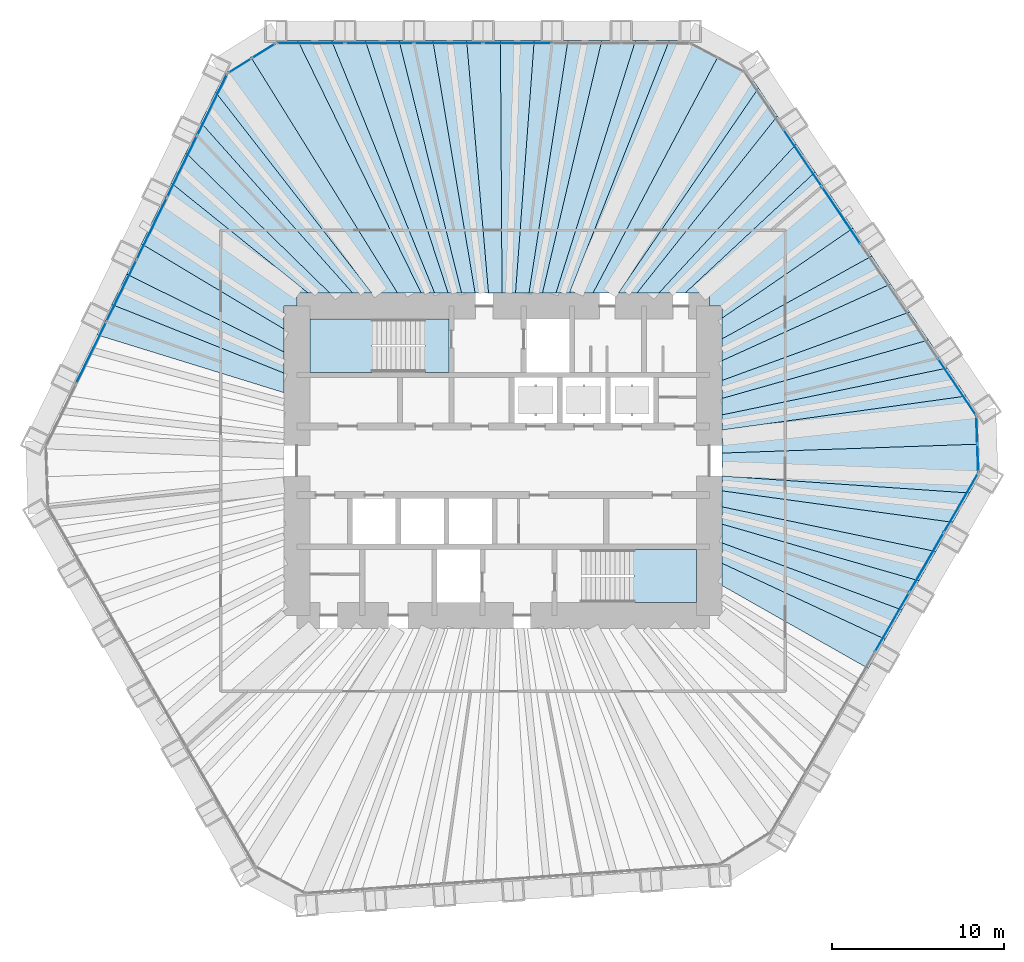
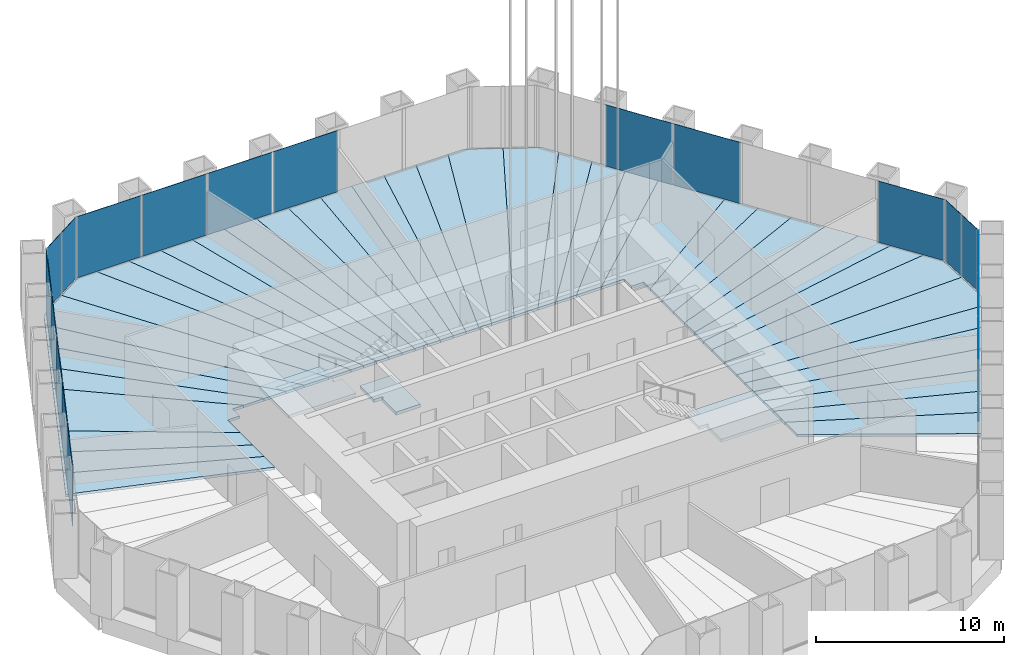
# One storey, part 9 of 20: 43 slabs, 19 plates, 8 elements without a shape of their own.
"""IFC4 building model written with IfcOpenShell, lengths in metres."""

from ifc_helpers import new_model, si_unit, direction, frame, origin, origin_2d, place, context, subcontext, project, spatial, polyline, rectangle, outline, extrude, material, layer, layer_set, type_object, element, aggregate, save


model = new_model("IFC4")

# Units and contexts
model_context = context("Model", 3, precision=1e-05, world=origin(), true_north=direction((0.0, 1.0)))
body_context = subcontext(model_context, "Body", "Model", "MODEL_VIEW")
ifc_project = project(units=[si_unit("LENGTHUNIT", "METRE"), si_unit("AREAUNIT", "SQUARE_METRE"), si_unit("VOLUMEUNIT", "CUBIC_METRE"), si_unit("PLANEANGLEUNIT", "RADIAN"), si_unit("MASSUNIT", "GRAM", prefix="KILO")], contexts=[model_context])

# Site, building, storey
site_placement = place(None, origin())
site = spatial("IfcSite", under=ifc_project, at=site_placement, CompositionType="ELEMENT")
building_placement = place(site_placement, origin())
building = spatial("IfcBuilding", under=site, at=building_placement, Name="Qingtian Harvest Tower", CompositionType="ELEMENT")
storey_placement = place(building_placement, frame((0.0, 0.0, 103.0)))
storey = spatial("IfcBuildingStorey", under=building, at=storey_placement, Name="L20", CompositionType="ELEMENT", Elevation=103.0)

# Slabs
ifc_material_1 = material(Name="Concrete fc' 35 MPa", Category="concrete")
ifc_layer_1 = layer(ifc_material_1, 0.169921875)
ifc_layer_set_1 = layer_set([ifc_layer_1], Name="Composite floor slab FS17 170")
slab_type_1 = type_object("IfcSlabType", Name="Composite floor slab FS17 170", PredefinedType="FLOOR", material=ifc_layer_set_1)
slab_1_placement = place(storey_placement, frame((0.0, 0.0, -0.169921875)))
element("IfcSlab", 1, at=slab_1_placement, inside=storey, type_object=slab_type_1, Name="Floor slab L20 panel D33", PredefinedType="FLOOR", context=body_context, shape_type="SweptSolid", body=[
    extrude(outline(polyline([(12.75, -5.97021484375), (22.2392578125, -10.390380859375), (21.25634765625, -12.0927734375), (12.75, -7.268798828125), (12.75, -5.97021484375)])), origin(), (0.0, 0.0, 1.0), 0.169921875),
])
slab_2_placement = place(storey_placement, frame((0.0, 0.0, -0.169921875)))
element("IfcSlab", 2, at=slab_2_placement, inside=storey, type_object=slab_type_1, Name="Floor slab L20 panel D34", PredefinedType="FLOOR", context=body_context, shape_type="SweptSolid", body=[
    extrude(outline(polyline([(12.75, -4.78173828125), (23.22216796875, -8.68798828125), (22.2392578125, -10.390380859375), (12.75, -5.97021484375), (12.75, -4.78173828125)])), origin(), (0.0, 0.0, 1.0), 0.169921875),
])
slab_3_placement = place(storey_placement, frame((0.0, 0.0, -0.169921875)))
element("IfcSlab", 3, at=slab_3_placement, inside=storey, type_object=slab_type_1, Name="Floor slab L20 panel D35", PredefinedType="FLOOR", context=body_context, shape_type="SweptSolid", body=[
    extrude(outline(polyline([(12.75, -3.68994140625), (24.205078125, -6.985595703125), (23.22216796875, -8.68798828125), (12.75, -4.78173828125), (12.75, -3.68994140625)])), origin(), (0.0, 0.0, 1.0), 0.169921875),
])
slab_4_placement = place(storey_placement, frame((0.0, 0.0, -0.169921875)))
element("IfcSlab", 4, at=slab_4_placement, inside=storey, type_object=slab_type_1, Name="Floor slab L20 panel D36", PredefinedType="FLOOR", context=body_context, shape_type="SweptSolid", body=[
    extrude(outline(polyline([(12.75, -2.683349609375), (25.18798828125, -5.282958984375), (24.205078125, -6.985595703125), (12.75, -3.68994140625), (12.75, -2.683349609375)])), origin(), (0.0, 0.0, 1.0), 0.169921875),
])
slab_5_placement = place(storey_placement, frame((0.0, 0.0, -0.169921875)))
element("IfcSlab", 5, at=slab_5_placement, inside=storey, type_object=slab_type_1, Name="Floor slab L20 panel D37", PredefinedType="FLOOR", context=body_context, shape_type="SweptSolid", body=[
    extrude(outline(polyline([(12.75, -1.752685546875), (26.1708984375, -3.58056640625), (25.18798828125, -5.282958984375), (12.75, -2.683349609375), (12.75, -1.752685546875)])), origin(), (0.0, 0.0, 1.0), 0.169921875),
])
slab_6_placement = place(storey_placement, frame((0.0, 0.0, -0.169921875)))
element("IfcSlab", 6, at=slab_6_placement, inside=storey, type_object=slab_type_1, Name="Floor slab L20 panel D38", PredefinedType="FLOOR", context=body_context, shape_type="SweptSolid", body=[
    extrude(outline(polyline([(12.75, -0.889404296875), (27.15380859375, -1.878173828125), (26.1708984375, -3.58056640625), (12.75, -1.752685546875), (12.75, -0.889404296875)])), origin(), (0.0, 0.0, 1.0), 0.169921875),
])
slab_7_placement = place(storey_placement, frame((0.0, 0.0, -0.169921875)))
element("IfcSlab", 7, at=slab_7_placement, inside=storey, type_object=slab_type_1, Name="Floor slab L20 panel D39", PredefinedType="FLOOR", context=body_context, shape_type="SweptSolid", body=[
    extrude(outline(polyline([(12.75, -0.889404296875), (12.75, 0.447509765625), (27.548095703125, 0.962158203125), (27.619140625, -1.072021484375), (27.15380859375, -1.878173828125), (12.75, -0.889404296875)])), origin(), (0.0, 0.0, 1.0), 0.169921875),
])
slab_8_placement = place(storey_placement, frame((0.0, 0.0, -0.169921875)))
element("IfcSlab", 8, at=slab_8_placement, inside=storey, type_object=slab_type_1, Name="Floor slab L20 panel D40", PredefinedType="FLOOR", context=body_context, shape_type="SweptSolid", body=[
    extrude(outline(polyline([(12.75, 0.447509765625), (12.75, 1.79052734375), (26.95654296875, 3.767822265625), (27.477294921875, 2.99609375), (27.548095703125, 0.962158203125), (12.75, 0.447509765625)])), origin(), (0.0, 0.0, 1.0), 0.169921875),
])
slab_9_placement = place(storey_placement, frame((0.0, 0.0, -0.169921875)))
element("IfcSlab", 9, at=slab_9_placement, inside=storey, type_object=slab_type_1, Name="Floor slab L20 panel D41", PredefinedType="FLOOR", context=body_context, shape_type="SweptSolid", body=[
    extrude(outline(polyline([(12.75, 2.671142578125), (25.857421875, 5.3974609375), (26.95654296875, 3.767822265625), (12.75, 1.79052734375), (12.75, 2.671142578125)])), origin(), (0.0, 0.0, 1.0), 0.169921875),
])
slab_10_placement = place(storey_placement, frame((0.0, 0.0, -0.169921875)))
element("IfcSlab", 10, at=slab_10_placement, inside=storey, type_object=slab_type_1, Name="Floor slab L20 panel D42", PredefinedType="FLOOR", context=body_context, shape_type="SweptSolid", body=[
    extrude(outline(polyline([(12.75, 3.6298828125), (24.758056640625, 7.02734375), (25.857421875, 5.3974609375), (12.75, 2.671142578125), (12.75, 3.6298828125)])), origin(), (0.0, 0.0, 1.0), 0.169921875),
])
slab_11_placement = place(storey_placement, frame((0.0, 0.0, -0.169921875)))
element("IfcSlab", 11, at=slab_11_placement, inside=storey, type_object=slab_type_1, Name="Floor slab L20 panel D43", PredefinedType="FLOOR", context=body_context, shape_type="SweptSolid", body=[
    extrude(outline(polyline([(12.75, 4.677734375), (23.658935546875, 8.656982421875), (24.758056640625, 7.02734375), (12.75, 3.6298828125), (12.75, 4.677734375)])), origin(), (0.0, 0.0, 1.0), 0.169921875),
])
slab_12_placement = place(storey_placement, frame((0.0, 0.0, -0.169921875)))
element("IfcSlab", 12, at=slab_12_placement, inside=storey, type_object=slab_type_1, Name="Floor slab L20 panel D44", PredefinedType="FLOOR", context=body_context, shape_type="SweptSolid", body=[
    extrude(outline(polyline([(12.75, 5.828125), (22.5595703125, 10.286865234375), (23.658935546875, 8.656982421875), (12.75, 4.677734375), (12.75, 5.828125)])), origin(), (0.0, 0.0, 1.0), 0.169921875),
])
slab_13_placement = place(storey_placement, frame((0.0, 0.0, -0.169921875)))
element("IfcSlab", 13, at=slab_13_placement, inside=storey, type_object=slab_type_1, Name="Floor slab L20 panel D45", PredefinedType="FLOOR", context=body_context, shape_type="SweptSolid", body=[
    extrude(outline(polyline([(12.75, 7.096435546875), (21.460205078125, 11.91650390625), (22.5595703125, 10.286865234375), (12.75, 5.828125), (12.75, 7.096435546875)])), origin(), (0.0, 0.0, 1.0), 0.169921875),
])
slab_14_placement = place(storey_placement, frame((0.0, 0.0, -0.169921875)))
element("IfcSlab", 14, at=slab_14_placement, inside=storey, type_object=slab_type_1, Name="Floor slab L20 panel D46", PredefinedType="FLOOR", context=body_context, shape_type="SweptSolid", body=[
    extrude(outline(polyline([(12.75, 8.30615234375), (20.365966796875, 13.538818359375), (21.460205078125, 11.91650390625), (12.75, 7.096435546875), (12.75, 8.30615234375)])), origin(), (0.0, 0.0, 1.0), 0.169921875),
])
slab_15_placement = place(storey_placement, frame((0.0, 0.0, -0.169921875)))
element("IfcSlab", 15, at=slab_15_placement, inside=storey, type_object=slab_type_1, Name="Floor slab L20 panel D48", PredefinedType="FLOOR", context=body_context, shape_type="SweptSolid", body=[
    extrude(outline(polyline([(18.163818359375, 16.8037109375), (20.365966796875, 13.538818359375), (12.75, 8.30615234375), (12.75, 9.0), (12.0, 9.0), (12.0, 9.75), (10.578369140625, 9.75), (18.163818359375, 16.8037109375)])), origin(), (0.0, 0.0, 1.0), 0.169921875),
])
slab_16_placement = place(storey_placement, frame((0.0, 0.0, -0.169921875)))
element("IfcSlab", 16, at=slab_16_placement, inside=storey, type_object=slab_type_1, Name="Floor slab L20 panel D49", PredefinedType="FLOOR", context=body_context, shape_type="SweptSolid", body=[
    extrude(outline(polyline([(9.0556640625, 9.75), (17.064453125, 18.43359375), (18.163818359375, 16.8037109375), (10.578369140625, 9.75), (9.0556640625, 9.75)])), origin(), (0.0, 0.0, 1.0), 0.169921875),
])
slab_17_placement = place(storey_placement, frame((0.0, 0.0, -0.169921875)))
element("IfcSlab", 17, at=slab_17_placement, inside=storey, type_object=slab_type_1, Name="Floor slab L20 panel D50", PredefinedType="FLOOR", context=body_context, shape_type="SweptSolid", body=[
    extrude(outline(polyline([(7.781494140625, 9.75), (15.965087890625, 20.0634765625), (17.064453125, 18.43359375), (9.0556640625, 9.75), (7.781494140625, 9.75)])), origin(), (0.0, 0.0, 1.0), 0.169921875),
])
slab_18_placement = place(storey_placement, frame((0.0, 0.0, -0.169921875)))
element("IfcSlab", 18, at=slab_18_placement, inside=storey, type_object=slab_type_1, Name="Floor slab L20 panel D51", PredefinedType="FLOOR", context=body_context, shape_type="SweptSolid", body=[
    extrude(outline(polyline([(6.69970703125, 9.75), (14.86572265625, 21.693359375), (15.965087890625, 20.0634765625), (7.781494140625, 9.75), (6.69970703125, 9.75)])), origin(), (0.0, 0.0, 1.0), 0.169921875),
])
slab_19_placement = place(storey_placement, frame((0.0, 0.0, -0.169921875)))
element("IfcSlab", 19, at=slab_19_placement, inside=storey, type_object=slab_type_1, Name="Floor slab L20 panel D52", PredefinedType="FLOOR", context=body_context, shape_type="SweptSolid", body=[
    extrude(outline(polyline([(6.69970703125, 9.75), (5.224609375, 9.75), (12.47509765625, 23.45947265625), (14.344970703125, 22.46533203125), (14.86572265625, 21.693359375), (6.69970703125, 9.75)])), origin(), (0.0, 0.0, 1.0), 0.169921875),
])
slab_20_placement = place(storey_placement, frame((0.0, 0.0, -0.169921875)))
element("IfcSlab", 20, at=slab_20_placement, inside=storey, type_object=slab_type_1, Name="Floor slab L20 panel D53", PredefinedType="FLOOR", context=body_context, shape_type="SweptSolid", body=[
    extrude(outline(polyline([(3.856201171875, 9.75), (9.67236328125, 24.455078125), (10.60302734375, 24.455078125), (12.47509765625, 23.45947265625), (5.224609375, 9.75), (3.856201171875, 9.75)])), origin(), (0.0, 0.0, 1.0), 0.169921875),
])
slab_21_placement = place(storey_placement, frame((0.0, 0.0, -0.169921875)))
element("IfcSlab", 21, at=slab_21_placement, inside=storey, type_object=slab_type_1, Name="Floor slab L20 panel D54", PredefinedType="FLOOR", context=body_context, shape_type="SweptSolid", body=[
    extrude(outline(polyline([(3.072509765625, 9.75), (7.706787109375, 24.455078125), (9.67236328125, 24.455078125), (3.856201171875, 9.75), (3.072509765625, 9.75)])), origin(), (0.0, 0.0, 1.0), 0.169921875),
])
slab_22_placement = place(storey_placement, frame((0.0, 0.0, -0.169921875)))
element("IfcSlab", 22, at=slab_22_placement, inside=storey, type_object=slab_type_1, Name="Floor slab L20 panel D55", PredefinedType="FLOOR", context=body_context, shape_type="SweptSolid", body=[
    extrude(outline(polyline([(2.288818359375, 9.75), (5.740966796875, 24.455078125), (7.706787109375, 24.455078125), (3.072509765625, 9.75), (2.288818359375, 9.75)])), origin(), (0.0, 0.0, 1.0), 0.169921875),
])
slab_23_placement = place(storey_placement, frame((0.0, 0.0, -0.169921875)))
element("IfcSlab", 23, at=slab_23_placement, inside=storey, type_object=slab_type_1, Name="Floor slab L20 panel D56", PredefinedType="FLOOR", context=body_context, shape_type="SweptSolid", body=[
    extrude(outline(polyline([(1.505126953125, 9.75), (3.775146484375, 24.455078125), (5.740966796875, 24.455078125), (2.288818359375, 9.75), (1.505126953125, 9.75)])), origin(), (0.0, 0.0, 1.0), 0.169921875),
])
slab_24_placement = place(storey_placement, frame((0.0, 0.0, -0.169921875)))
element("IfcSlab", 24, at=slab_24_placement, inside=storey, type_object=slab_type_1, Name="Floor slab L20 panel D57", PredefinedType="FLOOR", context=body_context, shape_type="SweptSolid", body=[
    extrude(outline(polyline([(0.721435546875, 9.75), (1.8095703125, 24.455078125), (3.775146484375, 24.455078125), (1.505126953125, 9.75), (0.721435546875, 9.75)])), origin(), (0.0, 0.0, 1.0), 0.169921875),
])
slab_25_placement = place(storey_placement, frame((0.0, 0.0, -0.169921875)))
element("IfcSlab", 25, at=slab_25_placement, inside=storey, type_object=slab_type_1, Name="Floor slab L20 panel D58", PredefinedType="FLOOR", context=body_context, shape_type="SweptSolid", body=[
    extrude(outline(polyline([(-0.062255859375, 9.75), (-0.15625, 24.455078125), (1.8095703125, 24.455078125), (0.721435546875, 9.75), (-0.062255859375, 9.75)])), origin(), (0.0, 0.0, 1.0), 0.169921875),
])
slab_26_placement = place(storey_placement, frame((0.0, 0.0, -0.169921875)))
element("IfcSlab", 26, at=slab_26_placement, inside=storey, type_object=slab_type_1, Name="Floor slab L20 panel D59", PredefinedType="FLOOR", context=body_context, shape_type="SweptSolid", body=[
    extrude(outline(polyline([(-0.845947265625, 9.75), (-2.1220703125, 24.455078125), (-0.15625, 24.455078125), (-0.062255859375, 9.75), (-0.845947265625, 9.75)])), origin(), (0.0, 0.0, 1.0), 0.169921875),
])
slab_27_placement = place(storey_placement, frame((0.0, 0.0, -0.169921875)))
element("IfcSlab", 27, at=slab_27_placement, inside=storey, type_object=slab_type_1, Name="Floor slab L20 panel D60", PredefinedType="FLOOR", context=body_context, shape_type="SweptSolid", body=[
    extrude(outline(polyline([(-1.629638671875, 9.75), (-4.087646484375, 24.455078125), (-2.1220703125, 24.455078125), (-0.845947265625, 9.75), (-1.629638671875, 9.75)])), origin(), (0.0, 0.0, 1.0), 0.169921875),
])
slab_28_placement = place(storey_placement, frame((0.0, 0.0, -0.169921875)))
element("IfcSlab", 28, at=slab_28_placement, inside=storey, type_object=slab_type_1, Name="Floor slab L20 panel D61", PredefinedType="FLOOR", context=body_context, shape_type="SweptSolid", body=[
    extrude(outline(polyline([(-2.41357421875, 9.75), (-6.053466796875, 24.455078125), (-4.087646484375, 24.455078125), (-1.629638671875, 9.75), (-2.41357421875, 9.75)])), origin(), (0.0, 0.0, 1.0), 0.169921875),
])
slab_29_placement = place(storey_placement, frame((0.0, 0.0, -0.169921875)))
element("IfcSlab", 29, at=slab_29_placement, inside=storey, type_object=slab_type_1, Name="Floor slab L20 panel D62", PredefinedType="FLOOR", context=body_context, shape_type="SweptSolid", body=[
    extrude(outline(polyline([(-3.197265625, 9.75), (-8.019287109375, 24.455078125), (-6.053466796875, 24.455078125), (-2.41357421875, 9.75), (-3.197265625, 9.75)])), origin(), (0.0, 0.0, 1.0), 0.169921875),
])
slab_30_placement = place(storey_placement, frame((0.0, 0.0, -0.169921875)))
element("IfcSlab", 30, at=slab_30_placement, inside=storey, type_object=slab_type_1, Name="Floor slab L20 panel D63", PredefinedType="FLOOR", context=body_context, shape_type="SweptSolid", body=[
    extrude(outline(polyline([(-3.98095703125, 9.75), (-9.98486328125, 24.455078125), (-8.019287109375, 24.455078125), (-3.197265625, 9.75), (-3.98095703125, 9.75)])), origin(), (0.0, 0.0, 1.0), 0.169921875),
])
slab_31_placement = place(storey_placement, frame((0.0, 0.0, -0.169921875)))
element("IfcSlab", 31, at=slab_31_placement, inside=storey, type_object=slab_type_1, Name="Floor slab L20 panel D64", PredefinedType="FLOOR", context=body_context, shape_type="SweptSolid", body=[
    extrude(outline(polyline([(-4.7646484375, 9.75), (-11.95068359375, 24.455078125), (-9.98486328125, 24.455078125), (-3.98095703125, 9.75), (-4.7646484375, 9.75)])), origin(), (0.0, 0.0, 1.0), 0.169921875),
])
slab_32_placement = place(storey_placement, frame((0.0, 0.0, -0.169921875)))
element("IfcSlab", 32, at=slab_32_placement, inside=storey, type_object=slab_type_1, Name="Floor slab L20 panel D65", PredefinedType="FLOOR", context=body_context, shape_type="SweptSolid", body=[
    extrude(outline(polyline([(-4.7646484375, 9.75), (-6.13671875, 9.75), (-14.6083984375, 23.375732421875), (-12.881103515625, 24.455078125), (-11.95068359375, 24.455078125), (-4.7646484375, 9.75)])), origin(), (0.0, 0.0, 1.0), 0.169921875),
])
slab_33_placement = place(storey_placement, frame((0.0, 0.0, -0.169921875)))
element("IfcSlab", 33, at=slab_33_placement, inside=storey, type_object=slab_type_1, Name="Floor slab L20 panel D66", PredefinedType="FLOOR", context=body_context, shape_type="SweptSolid", body=[
    extrude(outline(polyline([(-6.13671875, 9.75), (-7.62646484375, 9.75), (-16.741455078125, 21.4609375), (-16.333251953125, 22.2978515625), (-14.6083984375, 23.375732421875), (-6.13671875, 9.75)])), origin(), (0.0, 0.0, 1.0), 0.169921875),
])
slab_34_placement = place(storey_placement, frame((0.0, 0.0, -0.169921875)))
element("IfcSlab", 34, at=slab_34_placement, inside=storey, type_object=slab_type_1, Name="Floor slab L20 panel D67", PredefinedType="FLOOR", context=body_context, shape_type="SweptSolid", body=[
    extrude(outline(polyline([(-8.74169921875, 9.75), (-17.603271484375, 19.69384765625), (-16.741455078125, 21.4609375), (-7.62646484375, 9.75), (-8.74169921875, 9.75)])), origin(), (0.0, 0.0, 1.0), 0.169921875),
])
slab_35_placement = place(storey_placement, frame((0.0, 0.0, -0.169921875)))
element("IfcSlab", 35, at=slab_35_placement, inside=storey, type_object=slab_type_1, Name="Floor slab L20 panel D68", PredefinedType="FLOOR", context=body_context, shape_type="SweptSolid", body=[
    extrude(outline(polyline([(-10.077880859375, 9.75), (-18.465087890625, 17.9267578125), (-17.603271484375, 19.69384765625), (-8.74169921875, 9.75), (-10.077880859375, 9.75)])), origin(), (0.0, 0.0, 1.0), 0.169921875),
])
slab_36_placement = place(storey_placement, frame((0.0, 0.0, -0.169921875)))
element("IfcSlab", 36, at=slab_36_placement, inside=storey, type_object=slab_type_1, Name="Floor slab L20 panel D69", PredefinedType="FLOOR", context=body_context, shape_type="SweptSolid", body=[
    extrude(outline(polyline([(-11.329345703125, 9.75), (-19.3212890625, 16.17138671875), (-18.465087890625, 17.9267578125), (-10.077880859375, 9.75), (-11.329345703125, 9.75)])), origin(), (0.0, 0.0, 1.0), 0.169921875),
])
slab_37_placement = place(storey_placement, frame((0.0, 0.0, -0.169921875)))
element("IfcSlab", 37, at=slab_37_placement, inside=storey, type_object=slab_type_1, Name="Floor slab L20 panel D70", PredefinedType="FLOOR", context=body_context, shape_type="SweptSolid", body=[
    extrude(outline(polyline([(-12.0, 9.0), (-12.75, 9.0), (-12.75, 7.662841796875), (-21.049560546875, 12.628173828125), (-19.3212890625, 16.17138671875), (-11.329345703125, 9.75), (-12.0, 9.75), (-12.0, 9.0)])), origin(), (0.0, 0.0, 1.0), 0.169921875),
])
slab_38_placement = place(storey_placement, frame((0.0, 0.0, -0.169921875)))
element("IfcSlab", 38, at=slab_38_placement, inside=storey, type_object=slab_type_1, Name="Floor slab L20 panel D72", PredefinedType="FLOOR", context=body_context, shape_type="SweptSolid", body=[
    extrude(outline(polyline([(-12.75, 6.332275390625), (-21.911376953125, 10.861328125), (-21.049560546875, 12.628173828125), (-12.75, 7.662841796875), (-12.75, 6.332275390625)])), origin(), (0.0, 0.0, 1.0), 0.169921875),
])
slab_39_placement = place(storey_placement, frame((0.0, 0.0, -0.169921875)))
element("IfcSlab", 39, at=slab_39_placement, inside=storey, type_object=slab_type_1, Name="Floor slab L20 panel D73", PredefinedType="FLOOR", context=body_context, shape_type="SweptSolid", body=[
    extrude(outline(polyline([(-12.75, 5.1025390625), (-22.77294921875, 9.094482421875), (-21.911376953125, 10.861328125), (-12.75, 6.332275390625), (-12.75, 5.1025390625)])), origin(), (0.0, 0.0, 1.0), 0.169921875),
])
slab_40_placement = place(storey_placement, frame((0.0, 0.0, -0.169921875)))
element("IfcSlab", 40, at=slab_40_placement, inside=storey, type_object=slab_type_1, Name="Floor slab L20 panel D74", PredefinedType="FLOOR", context=body_context, shape_type="SweptSolid", body=[
    extrude(outline(polyline([(-12.75, 3.962646484375), (-23.634765625, 7.32763671875), (-22.77294921875, 9.094482421875), (-12.75, 5.1025390625), (-12.75, 3.962646484375)])), origin(), (0.0, 0.0, 1.0), 0.169921875),
])

# Curtain wall, plates
ifc_material_2 = material(Name="Bronze-anodised aluminium curtain wall", Category="aluminium")
curtain_wall_type = type_object("IfcCurtainWallType", Name="Curtain wall CW3 sky lobby", PredefinedType="USERDEFINED", material=ifc_material_2)
curtain_wall_1_placement = place(storey_placement, origin())
curtain_wall_1 = element("IfcCurtainWall", 41, at=curtain_wall_1_placement, inside=storey, type_object=curtain_wall_type, Name="Curtain wall CW3 L20 N0-5", ObjectType="RECESSED CURTAIN WALL", PredefinedType="USERDEFINED")
ifc_material_3 = material(Name="Bronze-tinted laminated insulating glass", Category="glass")
ifc_layer_2 = layer(ifc_material_3, 0.030029296875)
ifc_layer_set_2 = layer_set([ifc_layer_2], Name="Glazed panel CWP tinted IGU")
plate_type = type_object("IfcPlateType", Name="Glazed panel CWP tinted IGU", PredefinedType="CURTAIN_PANEL", material=ifc_layer_set_2)
plate_1_placement = place(storey_placement, frame((-11.196044921875, 24.300048828125, 0.06494140625), z_axis=(0.0, 0.0, 1.0), x_axis=(1.0, 0.0, 0.0)))
plate_1 = element("IfcPlate", 42, at=plate_1_placement, type_object=plate_type, Name="CW3 panel 1.1", PredefinedType="CURTAIN_PANEL", context=body_context, shape_type="SweptSolid", body=[
    extrude(rectangle(XDim=3.921630859375, YDim=0.030029296875, at=origin_2d()), origin(), (0.0, 0.0, 1.0), 3.965087890625),
])
plate_2_placement = place(storey_placement, frame((-7.193115234375, 24.300048828125, 0.06494140625), z_axis=(0.0, 0.0, 1.0), x_axis=(1.0, 0.0, 0.0)))
plate_2 = element("IfcPlate", 43, at=plate_2_placement, type_object=plate_type, Name="CW3 panel 2.1", PredefinedType="CURTAIN_PANEL", context=body_context, shape_type="SweptSolid", body=[
    extrude(rectangle(XDim=3.9541015625, YDim=0.030029296875, at=origin_2d()), origin(), (0.0, 0.0, 1.0), 3.965087890625),
])
plate_3_placement = place(storey_placement, frame((-3.174072265625, 24.300048828125, 0.06494140625), z_axis=(0.0, 0.0, 1.0), x_axis=(1.0, 0.0, 0.0)))
plate_3 = element("IfcPlate", 44, at=plate_3_placement, type_object=plate_type, Name="CW3 panel 3.1", PredefinedType="CURTAIN_PANEL", context=body_context, shape_type="SweptSolid", body=[
    extrude(rectangle(XDim=3.9541015625, YDim=0.030029296875, at=origin_2d()), origin(), (0.0, 0.0, 1.0), 3.965087890625),
])
plate_4_placement = place(storey_placement, frame((0.844970703125, 24.300048828125, 0.06494140625), z_axis=(0.0, 0.0, 1.0), x_axis=(1.0, 0.0, 0.0)))
plate_4 = element("IfcPlate", 45, at=plate_4_placement, type_object=plate_type, Name="CW3 panel 4.1", PredefinedType="CURTAIN_PANEL", context=body_context, shape_type="SweptSolid", body=[
    extrude(rectangle(XDim=3.9541015625, YDim=0.030029296875, at=origin_2d()), origin(), (0.0, 0.0, 1.0), 3.965087890625),
])
aggregate(curtain_wall_1, [plate_1, plate_2, plate_3, plate_4])

curtain_wall_2_placement = place(storey_placement, origin())
curtain_wall_2 = element("IfcCurtainWall", 46, at=curtain_wall_2_placement, inside=storey, type_object=curtain_wall_type, Name="Curtain wall CW3 L20 NE0-5", ObjectType="RECESSED CURTAIN WALL", PredefinedType="USERDEFINED")
plate_5_placement = place(storey_placement, frame((17.425537109375, 17.620849609375, 0.06494140625), z_axis=(0.0, 0.0, 1.0), x_axis=(0.559192903471, -0.829037572555, 0.0)))
plate_5 = element("IfcPlate", 47, at=plate_5_placement, type_object=plate_type, Name="CW3 panel 2.1", PredefinedType="CURTAIN_PANEL", context=body_context, shape_type="SweptSolid", body=[
    extrude(rectangle(XDim=3.9541015625, YDim=0.030029296875, at=origin_2d()), origin(), (0.0, 0.0, 1.0), 3.965087890625),
])
plate_6_placement = place(storey_placement, frame((19.673095703125, 14.2890625, 0.06494140625), z_axis=(0.0, 0.0, 1.0), x_axis=(0.559192903471, -0.829037572555, 0.0)))
plate_6 = element("IfcPlate", 48, at=plate_6_placement, type_object=plate_type, Name="CW3 panel 3.1", PredefinedType="CURTAIN_PANEL", context=body_context, shape_type="SweptSolid", body=[
    extrude(rectangle(XDim=3.9541015625, YDim=0.030029296875, at=origin_2d()), origin(), (0.0, 0.0, 1.0), 3.965087890625),
])
plate_7_placement = place(storey_placement, frame((26.40625, 4.306640625, 0.06494140625), z_axis=(0.0, 0.0, 1.0), x_axis=(0.559192903471, -0.829037572555, 0.0)))
plate_7 = element("IfcPlate", 49, at=plate_7_placement, type_object=plate_type, Name="CW3 panel 6.1", PredefinedType="CURTAIN_PANEL", context=body_context, shape_type="SweptSolid", body=[
    extrude(rectangle(XDim=3.921630859375, YDim=0.030029296875, at=origin_2d()), origin(), (0.0, 0.0, 1.0), 3.965087890625),
])
aggregate(curtain_wall_2, [plate_5, plate_6, plate_7])

curtain_wall_3_placement = place(storey_placement, origin())
curtain_wall_3 = element("IfcCurtainWall", 50, at=curtain_wall_3_placement, inside=storey, type_object=curtain_wall_type, Name="Curtain wall CW3 L20 NEC", ObjectType="RECESSED CURTAIN WALL", PredefinedType="USERDEFINED")
plate_8_placement = place(storey_placement, frame((27.568603515625, 1.779052734375, 0.06494140625), z_axis=(0.0, 0.0, 1.0), x_axis=(0.034899496703, -0.999390827019, 0.0)))
plate_8 = element("IfcPlate", 51, at=plate_8_placement, type_object=plate_type, Name="CW3 panel 1.1", PredefinedType="CURTAIN_PANEL", context=body_context, shape_type="SweptSolid", body=[
    extrude(rectangle(XDim=1.56689453125, YDim=0.030029296875, at=origin_2d()), origin(), (0.0, 0.0, 1.0), 3.965087890625),
])
plate_9_placement = place(storey_placement, frame((27.625732421875, 0.148193359375, 0.06494140625), z_axis=(0.0, 0.0, 1.0), x_axis=(0.034899496703, -0.999390827019, 0.0)))
plate_9 = element("IfcPlate", 52, at=plate_9_placement, type_object=plate_type, Name="CW3 panel 2.1", PredefinedType="CURTAIN_PANEL", context=body_context, shape_type="SweptSolid", body=[
    extrude(rectangle(XDim=1.56689453125, YDim=0.030029296875, at=origin_2d()), origin(), (0.0, 0.0, 1.0), 3.965087890625),
])
aggregate(curtain_wall_3, [plate_8, plate_9])

curtain_wall_4_placement = place(storey_placement, origin())
curtain_wall_4 = element("IfcCurtainWall", 53, at=curtain_wall_4_placement, inside=storey, type_object=curtain_wall_type, Name="Curtain wall CW3 L20 SE0-5", ObjectType="RECESSED CURTAIN WALL", PredefinedType="USERDEFINED")
plate_10_placement = place(storey_placement, frame((26.642333984375, -2.4541015625, 0.06494140625), z_axis=(0.0, 0.0, 1.0), x_axis=(-0.5, -0.866025403784, 0.0)))
plate_10 = element("IfcPlate", 54, at=plate_10_placement, type_object=plate_type, Name="CW3 panel 1.1", PredefinedType="CURTAIN_PANEL", context=body_context, shape_type="SweptSolid", body=[
    extrude(rectangle(XDim=3.921630859375, YDim=0.030029296875, at=origin_2d()), origin(), (0.0, 0.0, 1.0), 3.965087890625),
])
plate_11_placement = place(storey_placement, frame((24.640869140625, -5.920654296875, 0.06494140625), z_axis=(0.0, 0.0, 1.0), x_axis=(-0.5, -0.866025403784, 0.0)))
plate_11 = element("IfcPlate", 55, at=plate_11_placement, type_object=plate_type, Name="CW3 panel 2.1", PredefinedType="CURTAIN_PANEL", context=body_context, shape_type="SweptSolid", body=[
    extrude(rectangle(XDim=3.9541015625, YDim=0.030029296875, at=origin_2d()), origin(), (0.0, 0.0, 1.0), 3.965087890625),
])
plate_12_placement = place(storey_placement, frame((22.63134765625, -9.401123046875, 0.06494140625), z_axis=(0.0, 0.0, 1.0), x_axis=(-0.5, -0.866025403784, 0.0)))
plate_12 = element("IfcPlate", 56, at=plate_12_placement, type_object=plate_type, Name="CW3 panel 3.1", PredefinedType="CURTAIN_PANEL", context=body_context, shape_type="SweptSolid", body=[
    extrude(rectangle(XDim=3.9541015625, YDim=0.030029296875, at=origin_2d()), origin(), (0.0, 0.0, 1.0), 3.965087890625),
])
aggregate(curtain_wall_4, [plate_10, plate_11, plate_12])

curtain_wall_5_placement = place(storey_placement, origin())
curtain_wall_5 = element("IfcCurtainWall", 57, at=curtain_wall_5_placement, inside=storey, type_object=curtain_wall_type, Name="Curtain wall CW3 L20 NW0-5", ObjectType="RECESSED CURTAIN WALL", PredefinedType="USERDEFINED")
plate_13_placement = place(storey_placement, frame((-23.972900390625, 6.280517578125, 0.06494140625), z_axis=(0.0, 0.0, 1.0), x_axis=(0.438371146789, 0.898794046299, 0.0)))
plate_13 = element("IfcPlate", 58, at=plate_13_placement, type_object=plate_type, Name="CW3 panel 2.1", PredefinedType="CURTAIN_PANEL", context=body_context, shape_type="SweptSolid", body=[
    extrude(rectangle(XDim=3.9541015625, YDim=0.030029296875, at=origin_2d()), origin(), (0.0, 0.0, 1.0), 3.965087890625),
])
plate_14_placement = place(storey_placement, frame((-22.211181640625, 9.892822265625, 0.06494140625), z_axis=(0.0, 0.0, 1.0), x_axis=(0.438371146789, 0.898794046299, 0.0)))
plate_14 = element("IfcPlate", 59, at=plate_14_placement, type_object=plate_type, Name="CW3 panel 3.1", PredefinedType="CURTAIN_PANEL", context=body_context, shape_type="SweptSolid", body=[
    extrude(rectangle(XDim=3.9541015625, YDim=0.030029296875, at=origin_2d()), origin(), (0.0, 0.0, 1.0), 3.965087890625),
])
plate_15_placement = place(storey_placement, frame((-20.44921875, 13.505126953125, 0.06494140625), z_axis=(0.0, 0.0, 1.0), x_axis=(0.438371146789, 0.898794046299, 0.0)))
plate_15 = element("IfcPlate", 60, at=plate_15_placement, type_object=plate_type, Name="CW3 panel 4.1", PredefinedType="CURTAIN_PANEL", context=body_context, shape_type="SweptSolid", body=[
    extrude(rectangle(XDim=3.9541015625, YDim=0.030029296875, at=origin_2d()), origin(), (0.0, 0.0, 1.0), 3.965087890625),
])
plate_16_placement = place(storey_placement, frame((-18.6875, 17.117431640625, 0.06494140625), z_axis=(0.0, 0.0, 1.0), x_axis=(0.438371146789, 0.898794046299, 0.0)))
plate_16 = element("IfcPlate", 61, at=plate_16_placement, type_object=plate_type, Name="CW3 panel 5.1", PredefinedType="CURTAIN_PANEL", context=body_context, shape_type="SweptSolid", body=[
    extrude(rectangle(XDim=3.9541015625, YDim=0.030029296875, at=origin_2d()), origin(), (0.0, 0.0, 1.0), 3.965087890625),
])
plate_17_placement = place(storey_placement, frame((-16.9326171875, 20.71533203125, 0.06494140625), z_axis=(0.0, 0.0, 1.0), x_axis=(0.438371146789, 0.898794046299, 0.0)))
plate_17 = element("IfcPlate", 62, at=plate_17_placement, type_object=plate_type, Name="CW3 panel 6.1", PredefinedType="CURTAIN_PANEL", context=body_context, shape_type="SweptSolid", body=[
    extrude(rectangle(XDim=3.921630859375, YDim=0.030029296875, at=origin_2d()), origin(), (0.0, 0.0, 1.0), 3.965087890625),
])
aggregate(curtain_wall_5, [plate_13, plate_14, plate_15, plate_16, plate_17])

curtain_wall_6_placement = place(storey_placement, origin())
curtain_wall_6 = element("IfcCurtainWall", 63, at=curtain_wall_6_placement, inside=storey, type_object=curtain_wall_type, Name="Curtain wall CW3 L20 NWC", ObjectType="RECESSED CURTAIN WALL", PredefinedType="USERDEFINED")
plate_18_placement = place(storey_placement, frame((-15.3251953125, 22.985595703125, 0.06494140625), z_axis=(0.0, 0.0, 1.0), x_axis=(0.848048096156, 0.529919264233, 0.0)))
plate_18 = element("IfcPlate", 64, at=plate_18_placement, type_object=plate_type, Name="CW3 panel 1.1", PredefinedType="CURTAIN_PANEL", context=body_context, shape_type="SweptSolid", body=[
    extrude(rectangle(XDim=1.56689453125, YDim=0.030029296875, at=origin_2d()), origin(), (0.0, 0.0, 1.0), 3.965087890625),
])
plate_19_placement = place(storey_placement, frame((-13.941162109375, 23.850341796875, 0.06494140625), z_axis=(0.0, 0.0, 1.0), x_axis=(0.848048096156, 0.529919264233, 0.0)))
plate_19 = element("IfcPlate", 65, at=plate_19_placement, type_object=plate_type, Name="CW3 panel 2.1", PredefinedType="CURTAIN_PANEL", context=body_context, shape_type="SweptSolid", body=[
    extrude(rectangle(XDim=1.56689453125, YDim=0.030029296875, at=origin_2d()), origin(), (0.0, 0.0, 1.0), 3.965087890625),
])
aggregate(curtain_wall_6, [plate_18, plate_19])

# Stair, slabs
ifc_material_4 = material(Name="Concrete fc' 35 MPa", Category="concrete")
stair_type = type_object("IfcStairType", Name="Special stair ST3 4200", PredefinedType="HALF_TURN_STAIR", material=ifc_material_4)
stair_1_placement = place(storey_placement, origin())
stair_1 = element("IfcStair", 66, at=stair_1_placement, inside=storey, type_object=stair_type, Name="Special stair S1 L20", PredefinedType="HALF_TURN_STAIR")
ifc_material_5 = material(Name="Concrete fc' 35 MPa", Category="concrete")
ifc_layer_3 = layer(ifc_material_5, 0.199951171875)
ifc_layer_set_3 = layer_set([ifc_layer_3], Name="Stair landing SL2 200")
slab_type_2 = type_object("IfcSlabType", Name="Stair landing SL2 200", PredefinedType="LANDING", material=ifc_layer_set_3)
slab_41_placement = place(storey_placement, frame((0.0, 0.0, -0.199951171875)))
slab_41 = element("IfcSlab", 67, at=slab_41_placement, type_object=slab_type_2, Name="S1 landing 1", PredefinedType="LANDING", context=body_context, shape_type="SweptSolid", body=[
    extrude(outline(polyline([(-4.64990234375, 5.14990234375), (-4.64990234375, 6.64990234375), (-4.550048828125, 6.64990234375), (-4.550048828125, 6.75), (-5.0849609375, 6.75), (-5.0849609375, 8.25), (-3.14990234375, 8.25), (-3.14990234375, 5.14990234375), (-4.64990234375, 5.14990234375)])), origin(), (0.0, 0.0, 1.0), 0.199951171875),
])
slab_42_placement = place(storey_placement, frame((0.0, 0.0, 1.89990234375)))
slab_42 = element("IfcSlab", 68, at=slab_42_placement, type_object=slab_type_2, Name="S1 landing 2", PredefinedType="LANDING", context=body_context, shape_type="SweptSolid", body=[
    extrude(outline(polyline([(-7.094970703125, 5.14990234375), (-11.25, 5.14990234375), (-11.25, 8.25), (-7.530029296875, 8.25), (-7.530029296875, 6.75), (-7.6298828125, 6.75), (-7.6298828125, 6.64990234375), (-7.094970703125, 6.64990234375), (-7.094970703125, 5.14990234375)])), origin(), (0.0, 0.0, 1.0), 0.2001953125),
])
aggregate(stair_1, [slab_41, slab_42])

# Stair, slab
stair_2_placement = place(storey_placement, origin())
stair_2 = element("IfcStair", 69, at=stair_2_placement, inside=storey, type_object=stair_type, Name="Special stair S2 L20", PredefinedType="HALF_TURN_STAIR")
slab_43_placement = place(storey_placement, frame((0.0, 0.0, 1.89990234375)))
slab_43 = element("IfcSlab", 70, at=slab_43_placement, type_object=slab_type_2, Name="S2 landing 2", PredefinedType="LANDING", context=body_context, shape_type="SweptSolid", body=[
    extrude(outline(polyline([(7.530029296875, -8.25), (7.530029296875, -6.75), (7.6298828125, -6.75), (7.6298828125, -6.64990234375), (7.094970703125, -6.64990234375), (7.094970703125, -5.14990234375), (11.25, -5.14990234375), (11.25, -8.25), (7.530029296875, -8.25)])), origin(), (0.0, 0.0, 1.0), 0.2001953125),
])
aggregate(stair_2, [slab_43])

save(model, "model.ifc")
